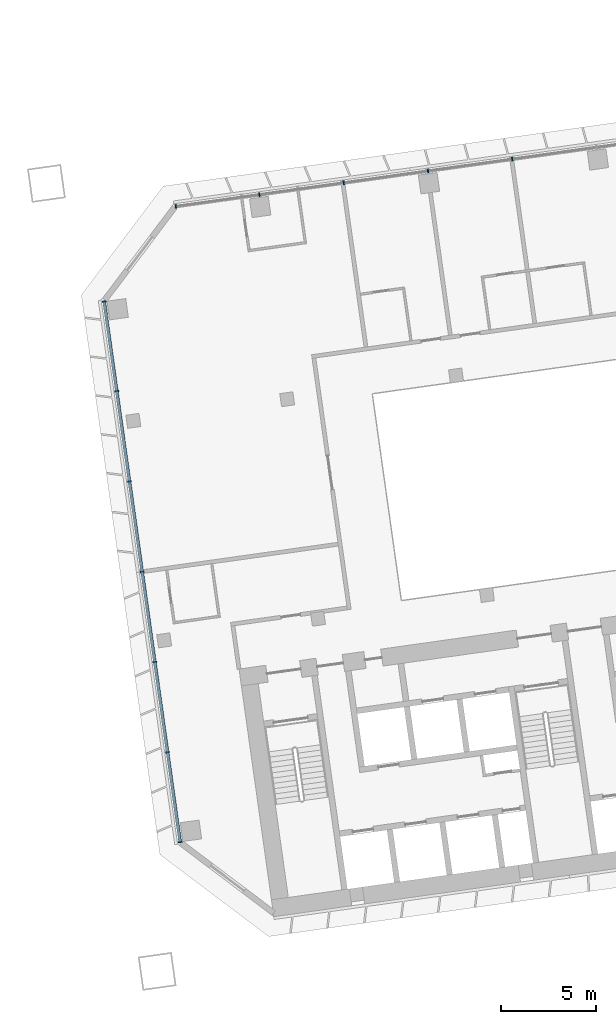
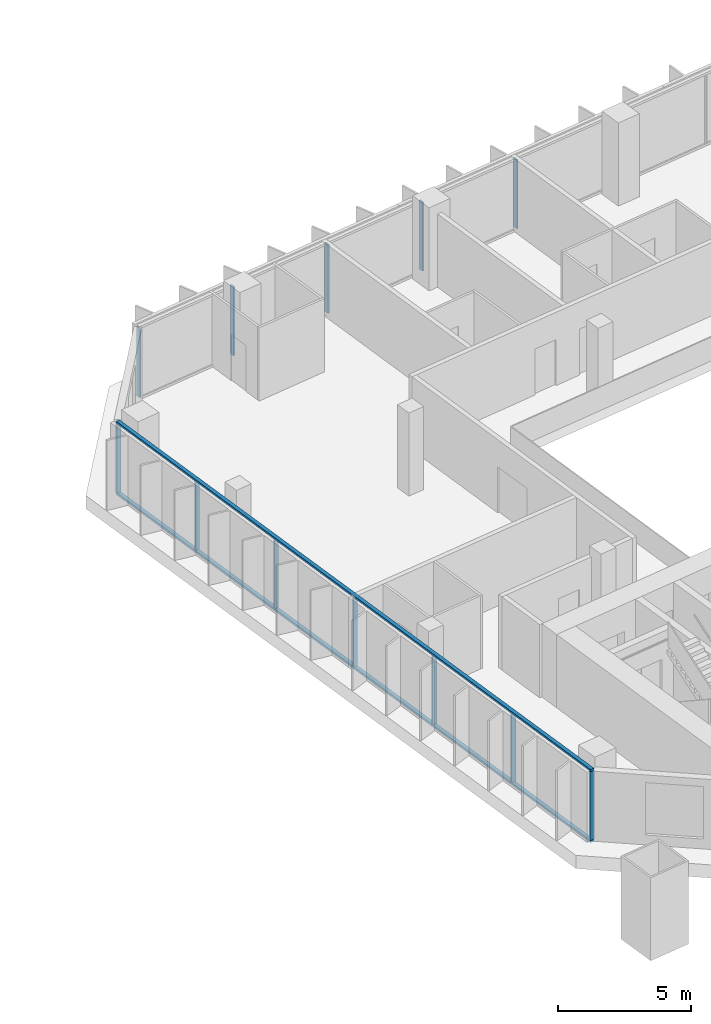
# One storey, part 7 of 24: 14 members, 2 elements without a shape of their own.
"""IFC4 building model written with IfcOpenShell, lengths in metres."""

from ifc_helpers import new_model, si_unit, direction, frame, origin, origin_2d, place, context, subcontext, project, spatial, rectangle, extrude, material, material_profile, profile_set, type_object, element, aggregate, save


model = new_model("IFC4")

# Units and contexts
model_context = context("Model", 3, precision=1e-05, world=origin(), true_north=direction((0.0, 1.0)))
body_context = subcontext(model_context, "Body", "Model", "MODEL_VIEW")
ifc_project = project(units=[si_unit("LENGTHUNIT", "METRE"), si_unit("AREAUNIT", "SQUARE_METRE"), si_unit("VOLUMEUNIT", "CUBIC_METRE"), si_unit("PLANEANGLEUNIT", "RADIAN"), si_unit("MASSUNIT", "GRAM", prefix="KILO")], contexts=[model_context])

# Site, building, storey
site_placement = place(None, origin())
site = spatial("IfcSite", under=ifc_project, at=site_placement, CompositionType="ELEMENT")
building_placement = place(site_placement, origin())
building = spatial("IfcBuilding", under=site, at=building_placement, Name="Mirante Cascada Hotel Towers", CompositionType="ELEMENT")
storey_placement = place(building_placement, frame((0.0, 0.0, 81.3)))
storey = spatial("IfcBuildingStorey", under=building, at=storey_placement, Name="L17", CompositionType="ELEMENT", Elevation=81.3)

# Curtain wall, members
ifc_material_1 = material(Name="Aluminium mullion and transom frame with clear laminated glass", Category="aluminium")
curtain_wall_type_1 = type_object("IfcCurtainWallType", Name="Ribbon curtain wall ECW1", PredefinedType="NOTDEFINED", material=ifc_material_1)
curtain_wall_1_placement = place(storey_placement, origin())
curtain_wall_1 = element("IfcCurtainWall", 1, at=curtain_wall_1_placement, inside=storey, type_object=curtain_wall_type_1, Name="Front ribbon wall T2 L17", PredefinedType="NOTDEFINED")
ifc_material_2 = material(Name="Anodised aluminium extrusion", Category="aluminium")
ifc_material_profile_1 = material_profile(ifc_material_2, rectangle(XDim=0.2, YDim=0.065, at=origin_2d()), Name="ECW1 MULLION 65x200")
ifc_profile_set_1 = profile_set([ifc_material_profile_1], Name="Anodised aluminium extrusion")
member_type_1 = type_object("IfcMemberType", Name="ECW1 mullion 65x200", PredefinedType="MULLION", material=ifc_profile_set_1)
member_1_placement = place(storey_placement, frame((49.684, 19.8017, 0.1), z_axis=(0.0, 0.0, 1.0), x_axis=(0.1391731, -0.9902681, 0.0)))
member_1 = element("IfcMember", 2, at=member_1_placement, type_object=member_type_1, Name="ECW1 mullion 11", PredefinedType="MULLION", context=body_context, shape_type="SweptSolid", body=[
    extrude(rectangle(XDim=0.2, YDim=0.065, at=origin_2d()), origin(), (0.0, 0.0, 1.0), 3.15),
])
member_2_placement = place(storey_placement, frame((45.2366, 19.1766, 0.1), z_axis=(0.0, 0.0, 1.0), x_axis=(0.1391731, -0.9902681, 0.0)))
member_2 = element("IfcMember", 3, at=member_2_placement, type_object=member_type_1, Name="ECW1 mullion 12", PredefinedType="MULLION", context=body_context, shape_type="SweptSolid", body=[
    extrude(rectangle(XDim=0.2, YDim=0.065, at=origin_2d()), origin(), (0.0, 0.0, 1.0), 3.15),
])
member_3_placement = place(storey_placement, frame((40.7892, 18.5516, 0.1), z_axis=(0.0, 0.0, 1.0), x_axis=(0.1391731, -0.9902681, 0.0)))
member_3 = element("IfcMember", 4, at=member_3_placement, type_object=member_type_1, Name="ECW1 mullion 13", PredefinedType="MULLION", context=body_context, shape_type="SweptSolid", body=[
    extrude(rectangle(XDim=0.2, YDim=0.065, at=origin_2d()), origin(), (0.0, 0.0, 1.0), 3.15),
])
member_4_placement = place(storey_placement, frame((36.3417, 17.9265, 0.1), z_axis=(0.0, 0.0, 1.0), x_axis=(0.1391731, -0.9902681, 0.0)))
member_4 = element("IfcMember", 5, at=member_4_placement, type_object=member_type_1, Name="ECW1 mullion 14", PredefinedType="MULLION", context=body_context, shape_type="SweptSolid", body=[
    extrude(rectangle(XDim=0.2, YDim=0.065, at=origin_2d()), origin(), (0.0, 0.0, 1.0), 3.15),
])
member_5_placement = place(storey_placement, frame((31.9265, 17.306, 0.1), z_axis=(0.0, 0.0, 1.0), x_axis=(0.1391731, -0.9902681, 0.0)))
member_5 = element("IfcMember", 6, at=member_5_placement, type_object=member_type_1, Name="ECW1 mullion 15", PredefinedType="MULLION", context=body_context, shape_type="SweptSolid", body=[
    extrude(rectangle(XDim=0.2, YDim=0.065, at=origin_2d()), origin(), (0.0, 0.0, 1.0), 3.15),
])
aggregate(curtain_wall_1, [member_1, member_2, member_3, member_4, member_5])

ifc_material_3 = material(Name="Aluminium mullion and transom frame with clear laminated glass", Category="aluminium")
curtain_wall_type_2 = type_object("IfcCurtainWallType", Name="End ribbon curtain wall ECW2", PredefinedType="NOTDEFINED", material=ifc_material_3)
curtain_wall_2_placement = place(storey_placement, origin())
curtain_wall_2 = element("IfcCurtainWall", 7, at=curtain_wall_2_placement, inside=storey, type_object=curtain_wall_type_2, Name="Inner end wall T2 L17", PredefinedType="NOTDEFINED")
ifc_material_4 = material(Name="Anodised aluminium extrusion", Category="aluminium")
ifc_material_profile_2 = material_profile(ifc_material_4, rectangle(XDim=0.2, YDim=0.065, at=origin_2d()), Name="ECW2 MULLION 65x200")
ifc_profile_set_2 = profile_set([ifc_material_profile_2], Name="Anodised aluminium extrusion")
member_type_2 = type_object("IfcMemberType", Name="ECW2 mullion 65x200", PredefinedType="MULLION", material=ifc_profile_set_2)
member_6_placement = place(storey_placement, frame((28.1437, 12.2861, 0.1), z_axis=(0.0, 0.0, 1.0), x_axis=(0.9902681, 0.1391731, 0.0)))
member_6 = element("IfcMember", 8, at=member_6_placement, type_object=member_type_2, Name="ECW2 mullion 1", PredefinedType="MULLION", context=body_context, shape_type="SweptSolid", body=[
    extrude(rectangle(XDim=0.2, YDim=0.065, at=origin_2d()), origin(), (0.0, 0.0, 1.0), 3.15),
])
member_7_placement = place(storey_placement, frame((28.809, 7.5524, 0.1), z_axis=(0.0, 0.0, 1.0), x_axis=(0.9902681, 0.1391731, 0.0)))
member_7 = element("IfcMember", 9, at=member_7_placement, type_object=member_type_2, Name="ECW2 mullion 2", PredefinedType="MULLION", context=body_context, shape_type="SweptSolid", body=[
    extrude(rectangle(XDim=0.2, YDim=0.065, at=origin_2d()), origin(), (0.0, 0.0, 1.0), 3.15),
])
member_8_placement = place(storey_placement, frame((29.4788, 2.7867, 0.1), z_axis=(0.0, 0.0, 1.0), x_axis=(0.9902681, 0.1391731, 0.0)))
member_8 = element("IfcMember", 10, at=member_8_placement, type_object=member_type_2, Name="ECW2 mullion 3", PredefinedType="MULLION", context=body_context, shape_type="SweptSolid", body=[
    extrude(rectangle(XDim=0.2, YDim=0.065, at=origin_2d()), origin(), (0.0, 0.0, 1.0), 3.15),
])
member_9_placement = place(storey_placement, frame((30.1485, -1.9791, 0.1), z_axis=(0.0, 0.0, 1.0), x_axis=(0.9902681, 0.1391731, 0.0)))
member_9 = element("IfcMember", 11, at=member_9_placement, type_object=member_type_2, Name="ECW2 mullion 4", PredefinedType="MULLION", context=body_context, shape_type="SweptSolid", body=[
    extrude(rectangle(XDim=0.2, YDim=0.065, at=origin_2d()), origin(), (0.0, 0.0, 1.0), 3.15),
])
member_10_placement = place(storey_placement, frame((30.8183, -6.7449, 0.1), z_axis=(0.0, 0.0, 1.0), x_axis=(0.9902681, 0.1391731, 0.0)))
member_10 = element("IfcMember", 12, at=member_10_placement, type_object=member_type_2, Name="ECW2 mullion 5", PredefinedType="MULLION", context=body_context, shape_type="SweptSolid", body=[
    extrude(rectangle(XDim=0.2, YDim=0.065, at=origin_2d()), origin(), (0.0, 0.0, 1.0), 3.15),
])
member_11_placement = place(storey_placement, frame((31.4881, -11.5107, 0.1), z_axis=(0.0, 0.0, 1.0), x_axis=(0.9902681, 0.1391731, 0.0)))
member_11 = element("IfcMember", 13, at=member_11_placement, type_object=member_type_2, Name="ECW2 mullion 6", PredefinedType="MULLION", context=body_context, shape_type="SweptSolid", body=[
    extrude(rectangle(XDim=0.2, YDim=0.065, at=origin_2d()), origin(), (0.0, 0.0, 1.0), 3.15),
])
member_12_placement = place(storey_placement, frame((32.1534, -16.2443, 0.1), z_axis=(0.0, 0.0, 1.0), x_axis=(0.9902681, 0.1391731, 0.0)))
member_12 = element("IfcMember", 14, at=member_12_placement, type_object=member_type_2, Name="ECW2 mullion 7", PredefinedType="MULLION", context=body_context, shape_type="SweptSolid", body=[
    extrude(rectangle(XDim=0.2, YDim=0.065, at=origin_2d()), origin(), (0.0, 0.0, 1.0), 3.15),
])
ifc_material_5 = material(Name="Anodised aluminium extrusion", Category="aluminium")
ifc_material_profile_3 = material_profile(ifc_material_5, rectangle(XDim=0.16, YDim=0.1, at=origin_2d()), Name="ECW2 TRANSOM 100x160")
ifc_profile_set_3 = profile_set([ifc_material_profile_3], Name="Anodised aluminium extrusion")
member_type_3 = type_object("IfcMemberType", Name="ECW2 transom 100x160", PredefinedType="USERDEFINED", material=ifc_profile_set_3)
member_13_placement = place(storey_placement, frame((28.1392, 12.3182, 0.05), z_axis=(0.1391723, -0.9902682, 0.0), x_axis=(0.9902682, 0.1391723, 0.0)))
member_13 = element("IfcMember", 15, at=member_13_placement, type_object=member_type_3, Name="ECW2 sill transom", ObjectType="TRANSOM", PredefinedType="USERDEFINED", context=body_context, shape_type="SweptSolid", body=[
    extrude(rectangle(XDim=0.16, YDim=0.1, at=origin_2d()), origin(), (0.0, 0.0, 1.0), 28.8757),
])
member_14_placement = place(storey_placement, frame((28.1392, 12.3182, 3.3), z_axis=(0.1391723, -0.9902682, 0.0), x_axis=(0.9902682, 0.1391723, 0.0)))
member_14 = element("IfcMember", 16, at=member_14_placement, type_object=member_type_3, Name="ECW2 head transom", ObjectType="TRANSOM", PredefinedType="USERDEFINED", context=body_context, shape_type="SweptSolid", body=[
    extrude(rectangle(XDim=0.16, YDim=0.1, at=origin_2d()), origin(), (0.0, 0.0, 1.0), 28.8757),
])
aggregate(curtain_wall_2, [member_13, member_14, member_6, member_7, member_8, member_9, member_10, member_11, member_12])

save(model, "model.ifc")
